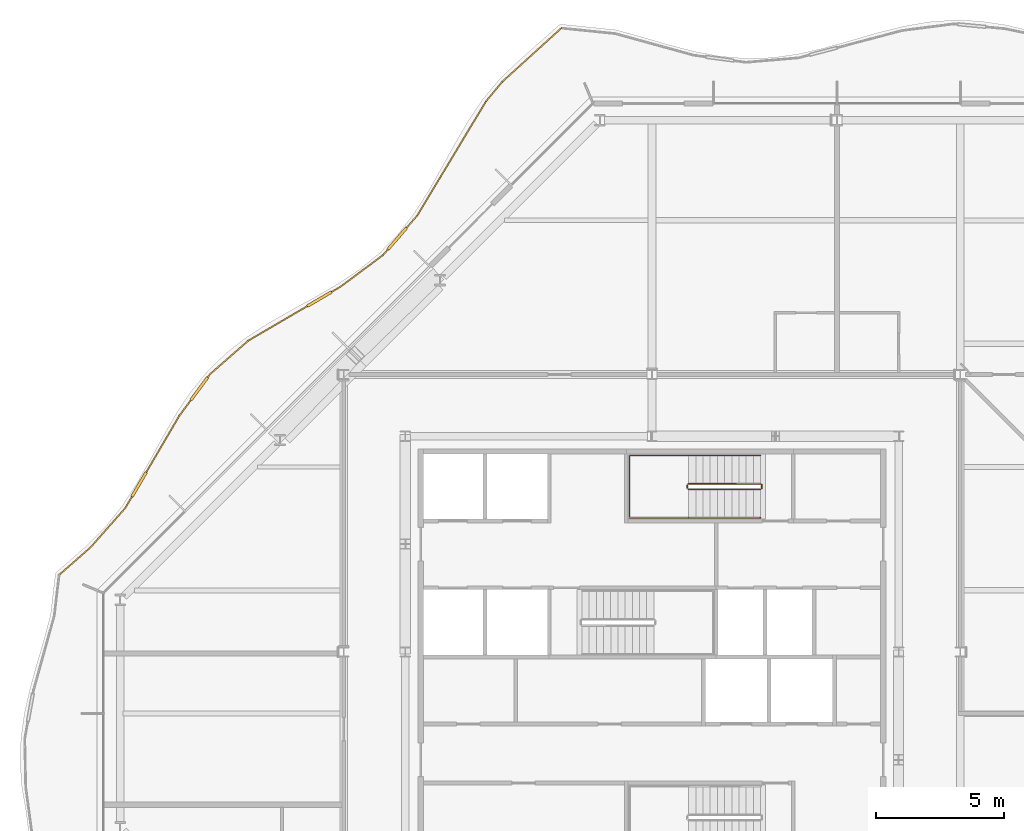
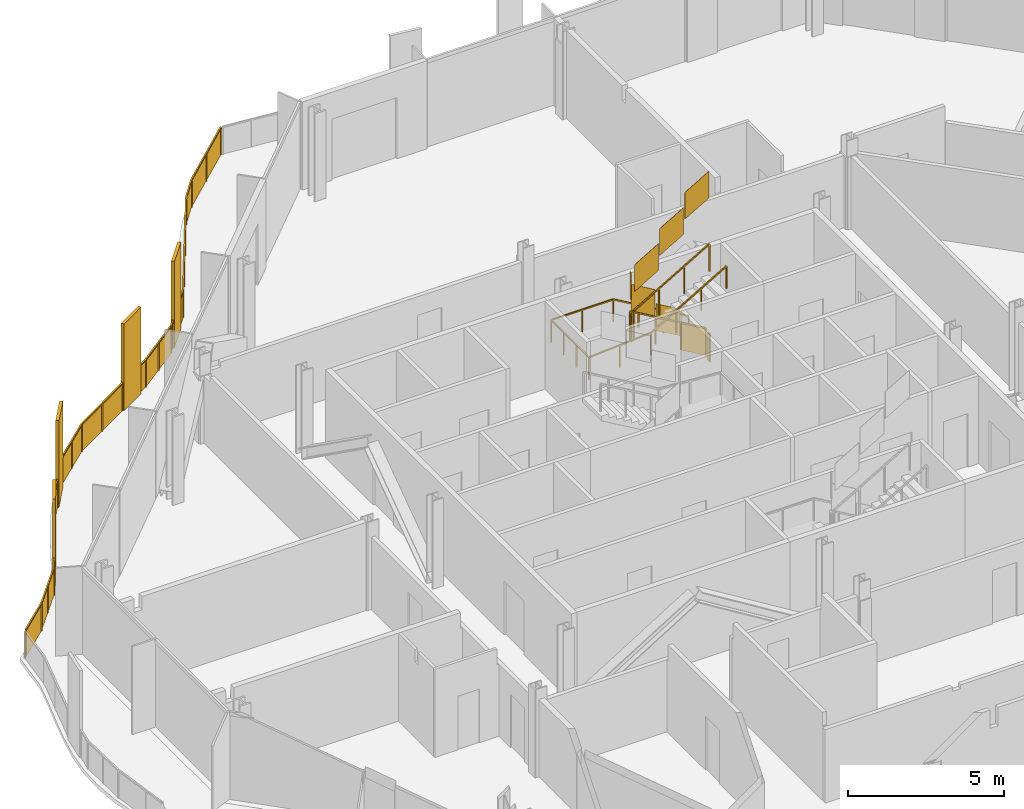
# One storey, part 16 of 17: 4 railings.
"""IFC4 building model written with IfcOpenShell, lengths in metres."""

from ifc_helpers import new_model, si_unit, direction, frame, origin, origin_2d, place, context, subcontext, project, spatial, polyline, rectangle, outline, extrude, material, type_object, element, save


model = new_model("IFC4")

# Units and contexts
model_context = context("Model", 3, precision=1e-05, world=origin(), true_north=direction((0.0, 1.0)))
body_context = subcontext(model_context, "Body", "Model", "MODEL_VIEW")
ifc_project = project(units=[si_unit("LENGTHUNIT", "METRE"), si_unit("AREAUNIT", "SQUARE_METRE"), si_unit("VOLUMEUNIT", "CUBIC_METRE"), si_unit("PLANEANGLEUNIT", "RADIAN"), si_unit("MASSUNIT", "GRAM", prefix="KILO")], contexts=[model_context])

# Site, building, storey
site_placement = place(None, origin())
site = spatial("IfcSite", under=ifc_project, at=site_placement, CompositionType="ELEMENT")
building_placement = place(site_placement, origin())
building = spatial("IfcBuilding", under=site, at=building_placement, Name="Cairn Pilgrim Tower", CompositionType="ELEMENT")
storey_placement = place(building_placement, frame((0.0, 0.0, 214.199951171875)))
storey = spatial("IfcBuildingStorey", under=building, at=storey_placement, Name="L54", CompositionType="ELEMENT", Elevation=214.199951171875)

# Railings
ifc_material_1 = material(Name="Bronze anodised aluminium rail, posts and fin screens with laminated glass infill", Category="aluminium")
railing_type_1 = type_object("IfcRailingType", Name="BALCONY GUARD WITH FIN SCREENS", PredefinedType="GUARDRAIL", material=ifc_material_1)
railing_1_placement = place(storey_placement, frame((3.6748046875, 26.68408203125, 0.0)))
element("IfcRailing", 1, at=railing_1_placement, inside=storey, type_object=railing_type_1, Name="Balcony guard BGF-5 with fin screens", PredefinedType="GUARDRAIL", context=body_context, shape_type="SweptSolid", body=[
    extrude(rectangle(XDim=0.050048828125, YDim=0.050048828125, at=origin_2d()), frame((0.0, 0.0, 1.0751953125), z_axis=(-0.740425900008, -0.672137996693, 0.0), x_axis=(0.672137996693, -0.740425900008, 0.0)), (0.0, 0.0, 1.0), 3.114013671875),
    extrude(rectangle(XDim=0.050048828125, YDim=0.050048828125, at=origin_2d()), frame((-2.3056640625, -2.093017578125, 1.0751953125), z_axis=(-0.638846465128, -0.76933425375, 0.0), x_axis=(0.76933425375, -0.638846465128, 0.0)), (0.0, 0.0, 1.0), 0.98779296875),
    extrude(rectangle(XDim=0.050048828125, YDim=0.050048828125, at=origin_2d()), frame((-2.936767578125, -2.85302734375, 1.0751953125), z_axis=(-0.515749020888, -0.856739719783, 0.0), x_axis=(0.856739719783, -0.515749020888, 0.0)), (0.0, 0.0, 1.0), 5.182861328125),
    extrude(rectangle(XDim=1.10009765625, YDim=0.110107421875, at=origin_2d()), frame((-6.38671875, -8.190185546875, 0.0), z_axis=(0.0, 0.0, 1.0), x_axis=(-0.654694251359, -0.755893800238, 0.0)), (0.0, 0.0, 1.0), 3.39990234375),
    extrude(rectangle(XDim=0.050048828125, YDim=0.050048828125, at=origin_2d()), frame((-5.60986328125, -7.29345703125, 1.0751953125), z_axis=(-0.654694251359, -0.755893800238, 0.0), x_axis=(0.755893800238, -0.654694251359, 0.0)), (0.0, 0.0, 1.0), 0.636474609375),
    extrude(rectangle(XDim=0.050048828125, YDim=0.050048828125, at=origin_2d()), frame((-6.74658203125, -8.60595703125, 1.0751953125), z_axis=(-0.654694251359, -0.755893800238, 0.0), x_axis=(0.755893800238, -0.654694251359, 0.0)), (0.0, 0.0, 1.0), 0.309326171875),
    extrude(rectangle(XDim=0.050048828125, YDim=0.050048828125, at=origin_2d()), frame((-6.94921875, -8.83984375, 1.0751953125), z_axis=(-0.802357436318, -0.596843819089, 0.0), x_axis=(0.596843819089, -0.802357436318, 0.0)), (0.0, 0.0, 1.0), 2.0576171875),
    extrude(rectangle(XDim=1.10009765625, YDim=0.110107421875, at=origin_2d()), frame((-9.41796875, -10.54638671875, 0.0), z_axis=(0.0, 0.0, 1.0), x_axis=(-0.863146987967, -0.504952747456, 0.0)), (0.0, 0.0, 1.0), 3.39990234375),
    extrude(rectangle(XDim=0.050048828125, YDim=0.050048828125, at=origin_2d()), frame((-8.60009765625, -10.06787109375, 1.0751953125), z_axis=(-0.863146987967, -0.504952747456, 0.0), x_axis=(0.504952747456, -0.863146987967, 0.0)), (0.0, 0.0, 1.0), 0.397705078125),
    extrude(rectangle(XDim=0.050048828125, YDim=0.050048828125, at=origin_2d()), frame((-9.892822265625, -10.823974609375, 1.0751953125), z_axis=(-0.863146987967, -0.504952747456, 0.0), x_axis=(0.504952747456, -0.863146987967, 0.0)), (0.0, 0.0, 1.0), 2.654541015625),
    extrude(rectangle(XDim=0.050048828125, YDim=0.050048828125, at=origin_2d()), frame((-12.18408203125, -12.16455078125, 1.0751953125), z_axis=(-0.752637637327, -0.658434952655, 0.0), x_axis=(0.658434952655, -0.752637637327, 0.0)), (0.0, 0.0, 1.0), 1.985107421875),
    extrude(rectangle(XDim=1.10009765625, YDim=0.110107421875, at=origin_2d()), frame((-14.09375, -14.03515625, 0.0), z_axis=(0.0, 0.0, 1.0), x_axis=(-0.593489038076, -0.804842072511, 0.0)), (0.0, 0.0, 1.0), 3.39990234375),
    extrude(rectangle(XDim=0.050048828125, YDim=0.050048828125, at=origin_2d()), frame((-13.67822265625, -13.4716796875, 1.0751953125), z_axis=(-0.593489038076, -0.804842072511, 0.0), x_axis=(0.804842072511, -0.593489038076, 0.0)), (0.0, 0.0, 1.0), 0.14990234375),
    extrude(rectangle(XDim=0.050048828125, YDim=0.050048828125, at=origin_2d()), frame((-14.420166015625, -14.477783203125, 1.0751953125), z_axis=(-0.593489038076, -0.804842072511, 0.0), x_axis=(0.804842072511, -0.593489038076, 0.0)), (0.0, 0.0, 1.0), 0.760009765625),
    extrude(rectangle(XDim=1.10009765625, YDim=0.110107421875, at=origin_2d()), frame((-16.43798828125, -17.763671875, 0.0), z_axis=(0.0, 0.0, 1.0), x_axis=(-0.505535930388, -0.862805553463, 0.0)), (0.0, 0.0, 1.0), 3.39990234375),
    extrude(rectangle(XDim=0.050048828125, YDim=0.050048828125, at=origin_2d()), frame((-14.87109375, -15.08935546875, 1.0751953125), z_axis=(-0.505535930388, -0.862805553463, 0.0), x_axis=(0.862805553463, -0.505535930388, 0.0)), (0.0, 0.0, 1.0), 2.549560546875),
    extrude(rectangle(XDim=0.050048828125, YDim=0.050048828125, at=origin_2d()), frame((-16.716064453125, -18.23828125, 1.0751953125), z_axis=(-0.505535930388, -0.862805553463, 0.0), x_axis=(0.862805553463, -0.505535930388, 0.0)), (0.0, 0.0, 1.0), 0.5146484375),
    extrude(rectangle(XDim=0.050048828125, YDim=0.050048828125, at=origin_2d()), frame((-16.976318359375, -18.682373046875, 1.0751953125), z_axis=(-0.662183726356, -0.749341519302, 0.0), x_axis=(0.749341519302, -0.662183726356, 0.0)), (0.0, 0.0, 1.0), 2.039306640625),
    extrude(rectangle(XDim=0.050048828125, YDim=0.050048828125, at=origin_2d()), frame((-18.32666015625, -20.21044921875, 1.0751953125), z_axis=(-0.751073878681, -0.66021816755, 0.0), x_axis=(0.66021816755, -0.751073878681, 0.0)), (0.0, 0.0, 1.0), 1.572021484375),
    extrude(rectangle(XDim=0.050048828125, YDim=0.050048828125, at=origin_2d()), origin(), (0.0, 0.0, 1.0), 1.050048828125),
    extrude(rectangle(XDim=0.050048828125, YDim=0.050048828125, at=origin_2d()), frame((-1.15283203125, -1.04638671875, 0.0)), (0.0, 0.0, 1.0), 1.050048828125),
    extrude(rectangle(XDim=0.050048828125, YDim=0.050048828125, at=origin_2d()), frame((-2.3056640625, -2.093017578125, 0.0)), (0.0, 0.0, 1.0), 1.050048828125),
    extrude(rectangle(XDim=0.050048828125, YDim=0.050048828125, at=origin_2d()), frame((-2.936767578125, -2.85302734375, 0.0)), (0.0, 0.0, 1.0), 1.050048828125),
    extrude(rectangle(XDim=0.050048828125, YDim=0.050048828125, at=origin_2d()), frame((-3.827880859375, -4.333251953125, 0.0)), (0.0, 0.0, 1.0), 1.050048828125),
    extrude(rectangle(XDim=0.050048828125, YDim=0.050048828125, at=origin_2d()), frame((-4.71875, -5.813232421875, 0.0)), (0.0, 0.0, 1.0), 1.050048828125),
    extrude(rectangle(XDim=0.050048828125, YDim=0.050048828125, at=origin_2d()), frame((-5.60986328125, -7.29345703125, 0.0)), (0.0, 0.0, 1.0), 1.050048828125),
    extrude(rectangle(XDim=0.050048828125, YDim=0.050048828125, at=origin_2d()), frame((-6.01025390625, -7.755615234375, 0.0)), (0.0, 0.0, 1.0), 1.050048828125),
    extrude(rectangle(XDim=0.050048828125, YDim=0.050048828125, at=origin_2d()), frame((-6.76318359375, -8.625, 0.0)), (0.0, 0.0, 1.0), 1.050048828125),
    extrude(rectangle(XDim=0.050048828125, YDim=0.050048828125, at=origin_2d()), frame((-6.94921875, -8.83984375, 0.0)), (0.0, 0.0, 1.0), 1.050048828125),
    extrude(rectangle(XDim=0.050048828125, YDim=0.050048828125, at=origin_2d()), frame((-7.774658203125, -9.453857421875, 0.0)), (0.0, 0.0, 1.0), 1.050048828125),
    extrude(rectangle(XDim=0.050048828125, YDim=0.050048828125, at=origin_2d()), frame((-8.60009765625, -10.06787109375, 0.0)), (0.0, 0.0, 1.0), 1.050048828125),
    extrude(rectangle(XDim=0.050048828125, YDim=0.050048828125, at=origin_2d()), frame((-8.921630859375, -10.256103515625, 0.0)), (0.0, 0.0, 1.0), 1.050048828125),
    extrude(rectangle(XDim=0.050048828125, YDim=0.050048828125, at=origin_2d()), frame((-9.914306640625, -10.836669921875, 0.0)), (0.0, 0.0, 1.0), 1.050048828125),
    extrude(rectangle(XDim=0.050048828125, YDim=0.050048828125, at=origin_2d()), frame((-11.04931640625, -11.500732421875, 0.0)), (0.0, 0.0, 1.0), 1.050048828125),
    extrude(rectangle(XDim=0.050048828125, YDim=0.050048828125, at=origin_2d()), frame((-12.18408203125, -12.16455078125, 0.0)), (0.0, 0.0, 1.0), 1.050048828125),
    extrude(rectangle(XDim=0.050048828125, YDim=0.050048828125, at=origin_2d()), frame((-12.93115234375, -12.818115234375, 0.0)), (0.0, 0.0, 1.0), 1.050048828125),
    extrude(rectangle(XDim=0.050048828125, YDim=0.050048828125, at=origin_2d()), frame((-13.67822265625, -13.4716796875, 0.0)), (0.0, 0.0, 1.0), 1.050048828125),
    extrude(rectangle(XDim=0.050048828125, YDim=0.050048828125, at=origin_2d()), frame((-13.75244140625, -13.572265625, 0.0)), (0.0, 0.0, 1.0), 1.050048828125),
    extrude(rectangle(XDim=0.050048828125, YDim=0.050048828125, at=origin_2d()), frame((-14.434814453125, -14.497802734375, 0.0)), (0.0, 0.0, 1.0), 1.050048828125),
    extrude(rectangle(XDim=0.050048828125, YDim=0.050048828125, at=origin_2d()), frame((-14.87109375, -15.08935546875, 0.0)), (0.0, 0.0, 1.0), 1.050048828125),
    extrude(rectangle(XDim=0.050048828125, YDim=0.050048828125, at=origin_2d()), frame((-15.50927734375, -16.178466796875, 0.0)), (0.0, 0.0, 1.0), 1.050048828125),
    extrude(rectangle(XDim=0.050048828125, YDim=0.050048828125, at=origin_2d()), frame((-16.1474609375, -17.267578125, 0.0)), (0.0, 0.0, 1.0), 1.050048828125),
    extrude(rectangle(XDim=0.050048828125, YDim=0.050048828125, at=origin_2d()), frame((-16.728759765625, -18.259765625, 0.0)), (0.0, 0.0, 1.0), 1.050048828125),
    extrude(rectangle(XDim=0.050048828125, YDim=0.050048828125, at=origin_2d()), frame((-16.976318359375, -18.682373046875, 0.0)), (0.0, 0.0, 1.0), 1.050048828125),
    extrude(rectangle(XDim=0.050048828125, YDim=0.050048828125, at=origin_2d()), frame((-17.6513671875, -19.4462890625, 0.0)), (0.0, 0.0, 1.0), 1.050048828125),
    extrude(rectangle(XDim=0.050048828125, YDim=0.050048828125, at=origin_2d()), frame((-18.32666015625, -20.21044921875, 0.0)), (0.0, 0.0, 1.0), 1.050048828125),
    extrude(rectangle(XDim=0.050048828125, YDim=0.050048828125, at=origin_2d()), frame((-19.50732421875, -21.248291015625, 0.0)), (0.0, 0.0, 1.0), 1.050048828125),
    extrude(outline(polyline([(0.02490234375, 0.0), (1.531982421875, 0.0), (1.531982421875, 1.050048828125), (0.02490234375, 1.050048828125), (0.02490234375, 0.0)])), frame((0.00390625, -0.00439453125, 0.0), z_axis=(-0.672137996693, 0.740425900008, 0.0), x_axis=(-0.740425900008, -0.672137996693, 0.0)), (0.0, 0.0, 1.0), 0.011962890625),
    extrude(outline(polyline([(0.02490234375, 0.0), (1.531982421875, 0.0), (1.531982421875, 1.050048828125), (0.02490234375, 1.050048828125), (0.02490234375, 0.0)])), frame((-1.14892578125, -1.051025390625, 0.0), z_axis=(-0.672137996693, 0.740425900008, 0.0), x_axis=(-0.740425900008, -0.672137996693, 0.0)), (0.0, 0.0, 1.0), 0.011962890625),
    extrude(outline(polyline([(0.02490234375, 0.0), (0.962890625, 0.0), (0.962890625, 1.050048828125), (0.02490234375, 1.050048828125), (0.02490234375, 0.0)])), frame((-2.301025390625, -2.096923828125, 0.0), z_axis=(-0.76933425375, 0.638846465128, 0.0), x_axis=(-0.638846465128, -0.76933425375, 0.0)), (0.0, 0.0, 1.0), 0.011962890625),
    extrude(outline(polyline([(0.02490234375, 0.0), (1.70263671875, 0.0), (1.70263671875, 1.050048828125), (0.02490234375, 1.050048828125), (0.02490234375, 0.0)])), frame((-2.931640625, -2.856201171875, 0.0), z_axis=(-0.856739719783, 0.515749020888, 0.0), x_axis=(-0.515749020888, -0.856739719783, 0.0)), (0.0, 0.0, 1.0), 0.011962890625),
    extrude(outline(polyline([(0.02490234375, 0.0), (1.70263671875, 0.0), (1.70263671875, 1.050048828125), (0.02490234375, 1.050048828125), (0.02490234375, 0.0)])), frame((-3.82275390625, -4.336181640625, 0.0), z_axis=(-0.856739719783, 0.515749020888, 0.0), x_axis=(-0.515749020888, -0.856739719783, 0.0)), (0.0, 0.0, 1.0), 0.011962890625),
    extrude(outline(polyline([(0.02490234375, 0.0), (1.70263671875, 0.0), (1.70263671875, 1.050048828125), (0.02490234375, 1.050048828125), (0.02490234375, 0.0)])), frame((-4.713623046875, -5.81640625, 0.0), z_axis=(-0.856739719783, 0.515749020888, 0.0), x_axis=(-0.515749020888, -0.856739719783, 0.0)), (0.0, 0.0, 1.0), 0.011962890625),
    extrude(outline(polyline([(0.02490234375, 0.0), (0.58642578125, 0.0), (0.58642578125, 1.050048828125), (0.02490234375, 1.050048828125), (0.02490234375, 0.0)])), frame((-5.605224609375, -7.29736328125, 0.0), z_axis=(-0.755893800238, 0.654694251359, 0.0), x_axis=(-0.654694251359, -0.755893800238, 0.0)), (0.0, 0.0, 1.0), 0.011962890625),
    extrude(outline(polyline([(0.02490234375, 0.0), (0.25927734375, 0.0), (0.25927734375, 1.050048828125), (0.02490234375, 1.050048828125), (0.02490234375, 0.0)])), frame((-6.758544921875, -8.62890625, 0.0), z_axis=(-0.755893800238, 0.654694251359, 0.0), x_axis=(-0.654694251359, -0.755893800238, 0.0)), (0.0, 0.0, 1.0), 0.011962890625),
    extrude(outline(polyline([(0.02490234375, 0.0), (1.003662109375, 0.0), (1.003662109375, 1.050048828125), (0.02490234375, 1.050048828125), (0.02490234375, 0.0)])), frame((-6.945556640625, -8.8447265625, 0.0), z_axis=(-0.596843819089, 0.802357436318, 0.0), x_axis=(-0.802357436318, -0.596843819089, 0.0)), (0.0, 0.0, 1.0), 0.011962890625),
    extrude(outline(polyline([(0.02490234375, 0.0), (1.003662109375, 0.0), (1.003662109375, 1.050048828125), (0.02490234375, 1.050048828125), (0.02490234375, 0.0)])), frame((-7.77099609375, -9.458740234375, 0.0), z_axis=(-0.596843819089, 0.802357436318, 0.0), x_axis=(-0.802357436318, -0.596843819089, 0.0)), (0.0, 0.0, 1.0), 0.011962890625),
    extrude(outline(polyline([(0.02490234375, 0.0), (0.34765625, 0.0), (0.34765625, 1.050048828125), (0.02490234375, 1.050048828125), (0.02490234375, 0.0)])), frame((-8.59716796875, -10.072998046875, 0.0), z_axis=(-0.504952747456, 0.863146987967, 0.0), x_axis=(-0.863146987967, -0.504952747456, 0.0)), (0.0, 0.0, 1.0), 0.011962890625),
    extrude(outline(polyline([(0.02490234375, 0.0), (1.289794921875, 0.0), (1.289794921875, 1.050048828125), (0.02490234375, 1.050048828125), (0.02490234375, 0.0)])), frame((-9.911376953125, -10.841796875, 0.0), z_axis=(-0.504952747456, 0.863146987967, 0.0), x_axis=(-0.863146987967, -0.504952747456, 0.0)), (0.0, 0.0, 1.0), 0.011962890625),
    extrude(outline(polyline([(0.02490234375, 0.0), (1.289794921875, 0.0), (1.289794921875, 1.050048828125), (0.02490234375, 1.050048828125), (0.02490234375, 0.0)])), frame((-11.046142578125, -11.505859375, 0.0), z_axis=(-0.504952747456, 0.863146987967, 0.0), x_axis=(-0.863146987967, -0.504952747456, 0.0)), (0.0, 0.0, 1.0), 0.011962890625),
    extrude(outline(polyline([(0.02490234375, 0.0), (0.967529296875, 0.0), (0.967529296875, 1.050048828125), (0.02490234375, 1.050048828125), (0.02490234375, 0.0)])), frame((-12.18017578125, -12.1689453125, 0.0), z_axis=(-0.658434952655, 0.752637637327, 0.0), x_axis=(-0.752637637327, -0.658434952655, 0.0)), (0.0, 0.0, 1.0), 0.011962890625),
    extrude(outline(polyline([(0.02490234375, 0.0), (0.967529296875, 0.0), (0.967529296875, 1.050048828125), (0.02490234375, 1.050048828125), (0.02490234375, 0.0)])), frame((-12.92724609375, -12.822509765625, 0.0), z_axis=(-0.658434952655, 0.752637637327, 0.0), x_axis=(-0.752637637327, -0.658434952655, 0.0)), (0.0, 0.0, 1.0), 0.011962890625),
    extrude(outline(polyline([(0.02490234375, 0.0), (0.099853515625, 0.0), (0.099853515625, 1.050048828125), (0.02490234375, 1.050048828125), (0.02490234375, 0.0)])), frame((-13.67333984375, -13.475341796875, 0.0), z_axis=(-0.804842072511, 0.593489038076, 0.0), x_axis=(-0.593489038076, -0.804842072511, 0.0)), (0.0, 0.0, 1.0), 0.011962890625),
    extrude(outline(polyline([(0.02490234375, 0.0), (0.7099609375, 0.0), (0.7099609375, 1.050048828125), (0.02490234375, 1.050048828125), (0.02490234375, 0.0)])), frame((-14.43017578125, -14.50146484375, 0.0), z_axis=(-0.804842072511, 0.593489038076, 0.0), x_axis=(-0.593489038076, -0.804842072511, 0.0)), (0.0, 0.0, 1.0), 0.011962890625),
    extrude(outline(polyline([(0.02490234375, 0.0), (1.2373046875, 0.0), (1.2373046875, 1.050048828125), (0.02490234375, 1.050048828125), (0.02490234375, 0.0)])), frame((-14.865966796875, -15.09228515625, 0.0), z_axis=(-0.862805553463, 0.505535930388, 0.0), x_axis=(-0.505535930388, -0.862805553463, 0.0)), (0.0, 0.0, 1.0), 0.011962890625),
    extrude(outline(polyline([(0.02490234375, 0.0), (1.2373046875, 0.0), (1.2373046875, 1.050048828125), (0.02490234375, 1.050048828125), (0.02490234375, 0.0)])), frame((-15.504150390625, -16.181396484375, 0.0), z_axis=(-0.862805553463, 0.505535930388, 0.0), x_axis=(-0.505535930388, -0.862805553463, 0.0)), (0.0, 0.0, 1.0), 0.011962890625),
    extrude(outline(polyline([(0.02490234375, 0.0), (0.464599609375, 0.0), (0.464599609375, 1.050048828125), (0.02490234375, 1.050048828125), (0.02490234375, 0.0)])), frame((-16.7236328125, -18.262939453125, 0.0), z_axis=(-0.862805553463, 0.505535930388, 0.0), x_axis=(-0.505535930388, -0.862805553463, 0.0)), (0.0, 0.0, 1.0), 0.011962890625),
    extrude(outline(polyline([(0.02490234375, 0.0), (0.99462890625, 0.0), (0.99462890625, 1.050048828125), (0.02490234375, 1.050048828125), (0.02490234375, 0.0)])), frame((-16.971923828125, -18.686279296875, 0.0), z_axis=(-0.749341519302, 0.662183726356, 0.0), x_axis=(-0.662183726356, -0.749341519302, 0.0)), (0.0, 0.0, 1.0), 0.011962890625),
    extrude(outline(polyline([(0.02490234375, 0.0), (0.99462890625, 0.0), (0.99462890625, 1.050048828125), (0.02490234375, 1.050048828125), (0.02490234375, 0.0)])), frame((-17.64697265625, -19.450439453125, 0.0), z_axis=(-0.749341519302, 0.662183726356, 0.0), x_axis=(-0.662183726356, -0.749341519302, 0.0)), (0.0, 0.0, 1.0), 0.011962890625),
    extrude(outline(polyline([(0.02490234375, 0.0), (1.546875, 0.0), (1.546875, 1.050048828125), (0.02490234375, 1.050048828125), (0.02490234375, 0.0)])), frame((-18.32275390625, -20.21484375, 0.0), z_axis=(-0.66021816755, 0.751073878681, 0.0), x_axis=(-0.751073878681, -0.66021816755, 0.0)), (0.0, 0.0, 1.0), 0.011962890625),
])
ifc_material_2 = material(Name="Painted steel", Category="steel")
railing_type_2 = type_object("IfcRailingType", Name="STAIR GUARD 1100", PredefinedType="GUARDRAIL", material=ifc_material_2)
railing_2_placement = place(storey_placement, frame((11.425048828125, 8.949951171875, 0.16357421875)))
element("IfcRailing", 2, at=railing_2_placement, inside=storey, type_object=railing_type_2, Name="L54 ST-C stair guard 1", PredefinedType="GUARDRAIL", context=body_context, shape_type="SweptSolid", body=[
    extrude(rectangle(XDim=0.048095703125, YDim=0.048095703125, at=origin_2d()), frame((0.0, 0.0, 1.076171875), z_axis=(-0.863360870873, 0.0, 0.504586966384), x_axis=(0.0, -1.0, 0.0)), (0.0, 0.0, 1.0), 3.2431640625),
    extrude(rectangle(XDim=0.048095703125, YDim=0.048095703125, at=origin_2d()), frame((-2.800048828125, 0.0, 2.71240234375), z_axis=(-0.707106781187, -0.707106781187, 0.0), x_axis=(0.707106781187, -0.707106781187, 0.0)), (0.0, 0.0, 1.0), 0.07080078125),
    extrude(rectangle(XDim=0.048095703125, YDim=0.048095703125, at=origin_2d()), frame((-2.85009765625, -0.050048828125, 2.71240234375), z_axis=(0.0, -1.0, 0.0), x_axis=(1.0, 0.0, 0.0)), (0.0, 0.0, 1.0), 0.125),
    extrude(rectangle(XDim=0.048095703125, YDim=0.048095703125, at=origin_2d()), frame((-2.85009765625, -0.175048828125, 2.71240234375), z_axis=(0.280916556609, -0.279546231943, 0.91811752648), x_axis=(0.705375805398, 0.708833529934, 0.0)), (0.0, 0.0, 1.0), 0.17822265625),
    extrude(rectangle(XDim=0.048095703125, YDim=0.048095703125, at=origin_2d()), frame((-2.800048828125, -0.224853515625, 2.8759765625), z_axis=(0.863360870873, 0.0, 0.504586966384), x_axis=(0.0, 1.0, 0.0)), (0.0, 0.0, 1.0), 3.2431640625),
    extrude(rectangle(XDim=0.0419921875, YDim=0.0419921875, at=origin_2d()), origin(), (0.0, 0.0, 1.0), 1.052001953125),
    extrude(rectangle(XDim=0.0419921875, YDim=0.0419921875, at=origin_2d()), frame((-0.933349609375, 0.0, 0.54541015625)), (0.0, 0.0, 1.0), 1.052001953125),
    extrude(rectangle(XDim=0.0419921875, YDim=0.0419921875, at=origin_2d()), frame((-1.86669921875, 0.0, 1.091064453125)), (0.0, 0.0, 1.0), 1.052001953125),
    extrude(rectangle(XDim=0.0419921875, YDim=0.0419921875, at=origin_2d()), frame((-2.800048828125, 0.0, 1.636474609375)), (0.0, 0.0, 1.0), 1.052001953125),
    extrude(rectangle(XDim=0.0419921875, YDim=0.0419921875, at=origin_2d()), frame((-2.85009765625, -0.050048828125, 1.636474609375)), (0.0, 0.0, 1.0), 1.052001953125),
    extrude(rectangle(XDim=0.0419921875, YDim=0.0419921875, at=origin_2d()), frame((-2.85009765625, -0.175048828125, 1.636474609375)), (0.0, 0.0, 1.0), 1.052001953125),
    extrude(rectangle(XDim=0.0419921875, YDim=0.0419921875, at=origin_2d()), frame((-2.800048828125, -0.224853515625, 1.800048828125)), (0.0, 0.0, 1.0), 1.052001953125),
    extrude(rectangle(XDim=0.0419921875, YDim=0.0419921875, at=origin_2d()), frame((-1.86669921875, -0.224853515625, 2.345458984375)), (0.0, 0.0, 1.0), 1.052001953125),
    extrude(rectangle(XDim=0.0419921875, YDim=0.0419921875, at=origin_2d()), frame((-0.933349609375, -0.224853515625, 2.89111328125)), (0.0, 0.0, 1.0), 1.052001953125),
    extrude(rectangle(XDim=0.0419921875, YDim=0.0419921875, at=origin_2d()), frame((0.0, -0.224853515625, 3.4365234375)), (0.0, 0.0, 1.0), 1.052001953125),
    extrude(outline(polyline([(0.02099609375, 0.01220703125), (0.912353515625, 0.533203125), (0.912353515625, 1.585205078125), (0.02099609375, 1.064208984375), (0.02099609375, 0.01220703125)])), frame((0.0, -0.005859375, 0.0), z_axis=(0.0, 1.0, 0.0), x_axis=(-1.0, 0.0, 0.0)), (0.0, 0.0, 1.0), 0.011962890625),
    extrude(outline(polyline([(0.02099609375, 0.557861328125), (0.912353515625, 1.07861328125), (0.912353515625, 2.130615234375), (0.02099609375, 1.60986328125), (0.02099609375, 0.557861328125)])), frame((-0.933349609375, -0.005859375, 0.54541015625), z_axis=(0.0, 1.0, 0.0), x_axis=(-1.0, 0.0, 0.0)), (0.0, 0.0, 1.0), 0.011962890625),
    extrude(outline(polyline([(0.02099609375, 1.103271484375), (0.912353515625, 1.624267578125), (0.912353515625, 2.67626953125), (0.02099609375, 2.1552734375), (0.02099609375, 1.103271484375)])), frame((-1.86669921875, -0.005859375, 1.091064453125), z_axis=(0.0, 1.0, 0.0), x_axis=(-1.0, 0.0, 0.0)), (0.0, 0.0, 1.0), 0.011962890625),
    extrude(outline(polyline([(0.02099609375, 1.636474609375), (0.10400390625, 1.636474609375), (0.10400390625, 2.6884765625), (0.02099609375, 2.6884765625), (0.02099609375, 1.636474609375)])), frame((-2.84423828125, -0.050048828125, 1.636474609375), z_axis=(-1.0, 0.0, 0.0), x_axis=(0.0, -1.0, 0.0)), (0.0, 0.0, 1.0), 0.011962890625),
    extrude(outline(polyline([(0.02099609375, 1.812255859375), (0.912353515625, 2.333251953125), (0.912353515625, 3.38525390625), (0.02099609375, 2.8642578125), (0.02099609375, 1.812255859375)])), frame((-2.800048828125, -0.21875, 1.800048828125), z_axis=(0.0, -1.0, 0.0), x_axis=(1.0, 0.0, 0.0)), (0.0, 0.0, 1.0), 0.011962890625),
    extrude(outline(polyline([(0.02099609375, 2.35791015625), (0.912353515625, 2.878662109375), (0.912353515625, 3.9306640625), (0.02099609375, 3.409912109375), (0.02099609375, 2.35791015625)])), frame((-1.86669921875, -0.21875, 2.345458984375), z_axis=(0.0, -1.0, 0.0), x_axis=(1.0, 0.0, 0.0)), (0.0, 0.0, 1.0), 0.011962890625),
    extrude(outline(polyline([(0.02099609375, 2.9033203125), (0.912353515625, 3.42431640625), (0.912353515625, 4.476318359375), (0.02099609375, 3.955322265625), (0.02099609375, 2.9033203125)])), frame((-0.933349609375, -0.21875, 2.89111328125), z_axis=(0.0, -1.0, 0.0), x_axis=(1.0, 0.0, 0.0)), (0.0, 0.0, 1.0), 0.011962890625),
])
railing_3_placement = place(storey_placement, frame((11.47509765625, 8.89990234375, 0.0)))
element("IfcRailing", 3, at=railing_3_placement, inside=storey, type_object=railing_type_2, Name="L54 ST-C stair guard 2", PredefinedType="GUARDRAIL", context=body_context, shape_type="SweptSolid", body=[
    extrude(rectangle(XDim=0.048095703125, YDim=0.048095703125, at=origin_2d()), frame((0.0, 0.0, 1.076171875), z_axis=(0.0, -1.0, 0.0), x_axis=(1.0, 0.0, 0.0)), (0.0, 0.0, 1.0), 0.125),
    extrude(rectangle(XDim=0.0419921875, YDim=0.0419921875, at=origin_2d()), origin(), (0.0, 0.0, 1.0), 1.052001953125),
    extrude(rectangle(XDim=0.0419921875, YDim=0.0419921875, at=origin_2d()), frame((0.0, -0.125, 0.0)), (0.0, 0.0, 1.0), 1.052001953125),
    extrude(outline(polyline([(0.02099609375, 0.0), (0.10400390625, 0.0), (0.10400390625, 1.052001953125), (0.02099609375, 1.052001953125), (0.02099609375, 0.0)])), frame((0.005859375, 0.0, 0.0), z_axis=(-1.0, 0.0, 0.0), x_axis=(0.0, -1.0, 0.0)), (0.0, 0.0, 1.0), 0.011962890625),
])
railing_type_3 = type_object("IfcRailingType", Name="STAIR HANDRAIL 900", PredefinedType="HANDRAIL", material=ifc_material_2)
railing_4_placement = place(storey_placement, frame((11.425048828125, 10.050048828125, 0.16357421875)))
element("IfcRailing", 4, at=railing_4_placement, inside=storey, type_object=railing_type_3, Name="L54 ST-C stair handrail 1", PredefinedType="HANDRAIL", context=body_context, shape_type="SweptSolid", body=[
    extrude(rectangle(XDim=0.048095703125, YDim=0.048095703125, at=origin_2d()), frame((0.0, 0.0, 0.8759765625), z_axis=(-0.863360870873, 0.0, 0.504586966384), x_axis=(0.0, -1.0, 0.0)), (0.0, 0.0, 1.0), 3.2431640625),
    extrude(rectangle(XDim=0.048095703125, YDim=0.048095703125, at=origin_2d()), frame((-2.800048828125, 0.0, 2.51220703125), z_axis=(-1.0, 0.0, 0.0), x_axis=(0.0, -1.0, 0.0)), (0.0, 0.0, 1.0), 2.300048828125),
    extrude(rectangle(XDim=0.048095703125, YDim=0.048095703125, at=origin_2d()), frame((-5.10009765625, 0.0, 2.51220703125), z_axis=(0.0, -1.0, 0.0), x_axis=(1.0, 0.0, 0.0)), (0.0, 0.0, 1.0), 2.425048828125),
    extrude(rectangle(XDim=0.048095703125, YDim=0.048095703125, at=origin_2d()), frame((-5.10009765625, -2.425048828125, 2.51220703125), z_axis=(0.997480687736, 0.0, 0.070938548008), x_axis=(0.0, 1.0, 0.0)), (0.0, 0.0, 1.0), 2.305908203125),
    extrude(rectangle(XDim=0.048095703125, YDim=0.048095703125, at=origin_2d()), frame((-2.800048828125, -2.425048828125, 2.67578125), z_axis=(0.863360870873, 0.0, 0.504586966384), x_axis=(0.0, 1.0, 0.0)), (0.0, 0.0, 1.0), 3.2431640625),
    extrude(rectangle(XDim=0.0419921875, YDim=0.0419921875, at=origin_2d()), origin(), (0.0, 0.0, 1.0), 0.851806640625),
    extrude(rectangle(XDim=0.0419921875, YDim=0.0419921875, at=origin_2d()), frame((-0.933349609375, 0.0, 0.54541015625)), (0.0, 0.0, 1.0), 0.851806640625),
    extrude(rectangle(XDim=0.0419921875, YDim=0.0419921875, at=origin_2d()), frame((-1.86669921875, 0.0, 1.091064453125)), (0.0, 0.0, 1.0), 0.851806640625),
    extrude(rectangle(XDim=0.0419921875, YDim=0.0419921875, at=origin_2d()), frame((-2.800048828125, 0.0, 1.636474609375)), (0.0, 0.0, 1.0), 0.851806640625),
    extrude(rectangle(XDim=0.0419921875, YDim=0.0419921875, at=origin_2d()), frame((-3.9501953125, 0.0, 1.636474609375)), (0.0, 0.0, 1.0), 0.851806640625),
    extrude(rectangle(XDim=0.0419921875, YDim=0.0419921875, at=origin_2d()), frame((-5.10009765625, 0.0, 1.636474609375)), (0.0, 0.0, 1.0), 0.851806640625),
    extrude(rectangle(XDim=0.0419921875, YDim=0.0419921875, at=origin_2d()), frame((-5.10009765625, -0.808349609375, 1.636474609375)), (0.0, 0.0, 1.0), 0.851806640625),
    extrude(rectangle(XDim=0.0419921875, YDim=0.0419921875, at=origin_2d()), frame((-5.10009765625, -1.61669921875, 1.636474609375)), (0.0, 0.0, 1.0), 0.851806640625),
    extrude(rectangle(XDim=0.0419921875, YDim=0.0419921875, at=origin_2d()), frame((-5.10009765625, -2.425048828125, 1.636474609375)), (0.0, 0.0, 1.0), 0.851806640625),
    extrude(rectangle(XDim=0.0419921875, YDim=0.0419921875, at=origin_2d()), frame((-3.9501953125, -2.425048828125, 1.71826171875)), (0.0, 0.0, 1.0), 0.851806640625),
    extrude(rectangle(XDim=0.0419921875, YDim=0.0419921875, at=origin_2d()), frame((-2.800048828125, -2.425048828125, 1.800048828125)), (0.0, 0.0, 1.0), 0.851806640625),
    extrude(rectangle(XDim=0.0419921875, YDim=0.0419921875, at=origin_2d()), frame((-1.86669921875, -2.425048828125, 2.345458984375)), (0.0, 0.0, 1.0), 0.851806640625),
    extrude(rectangle(XDim=0.0419921875, YDim=0.0419921875, at=origin_2d()), frame((-0.933349609375, -2.425048828125, 2.89111328125)), (0.0, 0.0, 1.0), 0.851806640625),
    extrude(rectangle(XDim=0.0419921875, YDim=0.0419921875, at=origin_2d()), frame((0.0, -2.425048828125, 3.4365234375)), (0.0, 0.0, 1.0), 0.851806640625),
])

save(model, "model.ifc")
